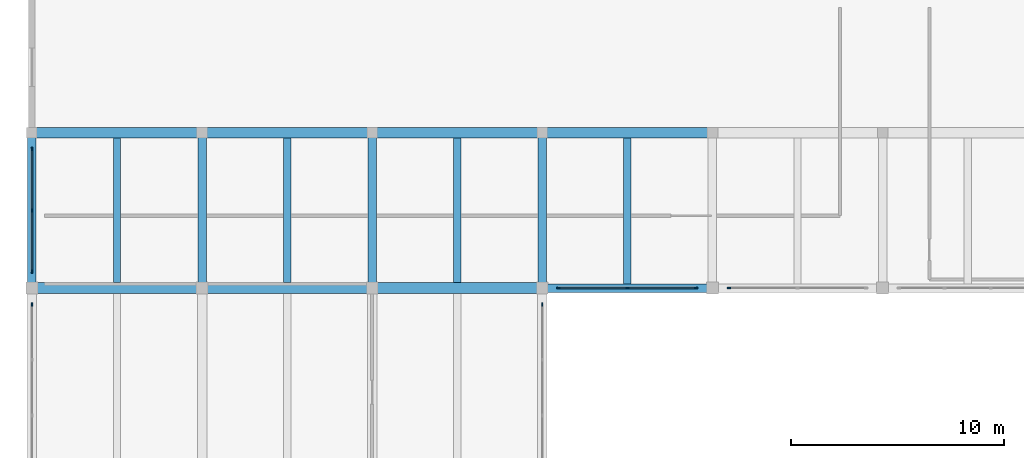
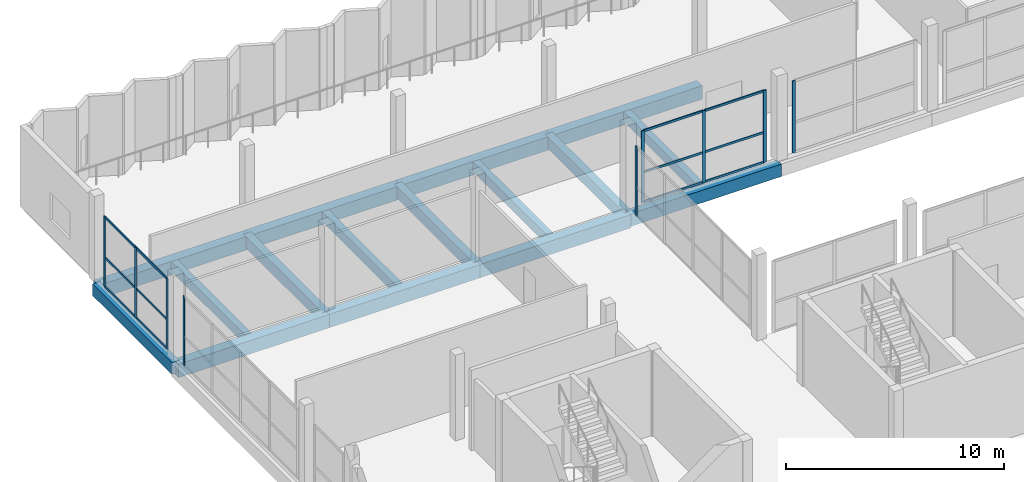
# One storey, part 17 of 47: 21 members, 16 beams, 5 elements without a shape of their own.
"""IFC4 building model written with IfcOpenShell, lengths in metres."""

from ifc_helpers import new_model, si_unit, direction, frame, origin, origin_2d, place, context, subcontext, project, spatial, rectangle, extrude, material, material_profile, profile_set, type_object, element, aggregate, save


model = new_model("IFC4")

# Units and contexts
model_context = context("Model", 3, precision=1e-05, world=origin(), true_north=direction((0.0, 1.0)))
body_context = subcontext(model_context, "Body", "Model", "MODEL_VIEW")
ifc_project = project(units=[si_unit("LENGTHUNIT", "METRE"), si_unit("AREAUNIT", "SQUARE_METRE"), si_unit("VOLUMEUNIT", "CUBIC_METRE"), si_unit("PLANEANGLEUNIT", "RADIAN"), si_unit("MASSUNIT", "GRAM", prefix="KILO")], contexts=[model_context])

# Site, building, storey
site_placement = place(None, origin())
site = spatial("IfcSite", under=ifc_project, at=site_placement, CompositionType="ELEMENT")
building_placement = place(site_placement, origin())
building = spatial("IfcBuilding", under=site, at=building_placement, Name="Vharandega Faculty of Natural Sciences", CompositionType="ELEMENT")
storey_placement = place(building_placement, frame((0.0, 0.0, 5.39990234375)))
storey = spatial("IfcBuildingStorey", under=building, at=storey_placement, Name="L01", CompositionType="ELEMENT", Elevation=5.39990234375)

# Curtain wall, member
ifc_material_1 = material(Name="Aluminium and solar-control glass curtain wall", Category="aluminium")
curtain_wall_type_1 = type_object("IfcCurtainWallType", Name="Unitised Curtain Wall System CW-16", PredefinedType="NOTDEFINED", material=ifc_material_1)
curtain_wall_1_placement = place(storey_placement, origin())
curtain_wall_1 = element("IfcCurtainWall", 1, at=curtain_wall_1_placement, inside=storey, type_object=curtain_wall_type_1, Name="Curtain Wall CW-L01-043", PredefinedType="NOTDEFINED")
ifc_material_2 = material(Name="Thermally broken aluminium 6063-T6", Category="aluminium")
ifc_material_profile_1 = material_profile(ifc_material_2, rectangle(XDim=0.06005859375, YDim=0.159912109375, at=origin_2d()), Name="ALU 60x160")
ifc_profile_set_1 = profile_set([ifc_material_profile_1], Name="Thermally broken aluminium 6063-T6")
member_type_1 = type_object("IfcMemberType", Name="CW Mullion 60x160", PredefinedType="MULLION", material=ifc_profile_set_1)
member_1_placement = place(storey_placement, frame((0.0, 96.22998046875, 0.0), z_axis=(0.0, 0.0, 1.0), x_axis=(-1.0, 0.0, 0.0)))
member_1 = element("IfcMember", 2, at=member_1_placement, type_object=member_type_1, Name="CW-16 mullion 5", PredefinedType="MULLION", context=body_context, shape_type="SweptSolid", body=[
    extrude(rectangle(XDim=0.06005859375, YDim=0.159912109375, at=origin_2d()), origin(), (0.0, 0.0, 1.0), 3.89013671875),
])
aggregate(curtain_wall_1, [member_1])

# Curtain wall, members
ifc_material_3 = material(Name="Aluminium and solar-control glass curtain wall", Category="aluminium")
curtain_wall_type_2 = type_object("IfcCurtainWallType", Name="Unitised Curtain Wall System CW-17", PredefinedType="NOTDEFINED", material=ifc_material_3)
curtain_wall_2_placement = place(storey_placement, origin())
curtain_wall_2 = element("IfcCurtainWall", 3, at=curtain_wall_2_placement, inside=storey, type_object=curtain_wall_type_2, Name="Curtain Wall CW-L01-044", PredefinedType="NOTDEFINED")
member_2_placement = place(storey_placement, frame((0.0, 97.77001953125, 0.0), z_axis=(0.0, 0.0, 1.0), x_axis=(-1.0, 0.0, 0.0)))
member_2 = element("IfcMember", 4, at=member_2_placement, type_object=member_type_1, Name="CW-17 mullion 1", PredefinedType="MULLION", context=body_context, shape_type="SweptSolid", body=[
    extrude(rectangle(XDim=0.06005859375, YDim=0.159912109375, at=origin_2d()), origin(), (0.0, 0.0, 1.0), 3.940185546875),
])
member_3_placement = place(storey_placement, frame((0.0, 100.64990234375, 0.0), z_axis=(0.0, 0.0, 1.0), x_axis=(-1.0, 0.0, 0.0)))
member_3 = element("IfcMember", 5, at=member_3_placement, type_object=member_type_1, Name="CW-17 mullion 2", PredefinedType="MULLION", context=body_context, shape_type="SweptSolid", body=[
    extrude(rectangle(XDim=0.06005859375, YDim=0.159912109375, at=origin_2d()), origin(), (0.0, 0.0, 1.0), 3.940185546875),
])
member_4_placement = place(storey_placement, frame((0.0, 103.530029296875, 0.0), z_axis=(0.0, 0.0, 1.0), x_axis=(-1.0, 0.0, 0.0)))
member_4 = element("IfcMember", 6, at=member_4_placement, type_object=member_type_1, Name="CW-17 mullion 3", PredefinedType="MULLION", context=body_context, shape_type="SweptSolid", body=[
    extrude(rectangle(XDim=0.06005859375, YDim=0.159912109375, at=origin_2d()), origin(), (0.0, 0.0, 1.0), 3.940185546875),
])

ifc_material_4 = material(Name="Aluminium and solar-control glass curtain wall", Category="aluminium")
curtain_wall_type_3 = type_object("IfcCurtainWallType", Name="Unitised Curtain Wall System CW-18", PredefinedType="NOTDEFINED", material=ifc_material_4)
curtain_wall_3_placement = place(storey_placement, origin())
curtain_wall_3 = element("IfcCurtainWall", 7, at=curtain_wall_3_placement, inside=storey, type_object=curtain_wall_type_3, Name="Curtain Wall CW-L01-045", PredefinedType="NOTDEFINED")
member_5_placement = place(storey_placement, frame((24.77001953125, 97.0, 0.0), z_axis=(0.0, 0.0, 1.0), x_axis=(0.0, 1.0, 0.0)))
member_5 = element("IfcMember", 8, at=member_5_placement, type_object=member_type_1, Name="CW-18 mullion 1", PredefinedType="MULLION", context=body_context, shape_type="SweptSolid", body=[
    extrude(rectangle(XDim=0.06005859375, YDim=0.159912109375, at=origin_2d()), origin(), (0.0, 0.0, 1.0), 4.0400390625),
])
member_6_placement = place(storey_placement, frame((28.0, 97.0, 0.0), z_axis=(0.0, 0.0, 1.0), x_axis=(0.0, 1.0, 0.0)))
member_6 = element("IfcMember", 9, at=member_6_placement, type_object=member_type_1, Name="CW-18 mullion 2", PredefinedType="MULLION", context=body_context, shape_type="SweptSolid", body=[
    extrude(rectangle(XDim=0.06005859375, YDim=0.159912109375, at=origin_2d()), origin(), (0.0, 0.0, 1.0), 4.0400390625),
])
member_7_placement = place(storey_placement, frame((31.22998046875, 97.0, 0.0), z_axis=(0.0, 0.0, 1.0), x_axis=(0.0, 1.0, 0.0)))
member_7 = element("IfcMember", 10, at=member_7_placement, type_object=member_type_1, Name="CW-18 mullion 3", PredefinedType="MULLION", context=body_context, shape_type="SweptSolid", body=[
    extrude(rectangle(XDim=0.06005859375, YDim=0.159912109375, at=origin_2d()), origin(), (0.0, 0.0, 1.0), 4.0400390625),
])

# Curtain wall, member
ifc_material_5 = material(Name="Aluminium and solar-control glass curtain wall", Category="aluminium")
curtain_wall_type_4 = type_object("IfcCurtainWallType", Name="Unitised Curtain Wall System CW-19", PredefinedType="NOTDEFINED", material=ifc_material_5)
curtain_wall_4_placement = place(storey_placement, origin())
curtain_wall_4 = element("IfcCurtainWall", 11, at=curtain_wall_4_placement, inside=storey, type_object=curtain_wall_type_4, Name="Curtain Wall CW-L01-046", PredefinedType="NOTDEFINED")
member_8_placement = place(storey_placement, frame((32.77001953125, 97.0, 0.0), z_axis=(0.0, 0.0, 1.0), x_axis=(0.0, 1.0, 0.0)))
member_8 = element("IfcMember", 12, at=member_8_placement, type_object=member_type_1, Name="CW-19 mullion 1", PredefinedType="MULLION", context=body_context, shape_type="SweptSolid", body=[
    extrude(rectangle(XDim=0.06005859375, YDim=0.159912109375, at=origin_2d()), origin(), (0.0, 0.0, 1.0), 4.0400390625),
])
aggregate(curtain_wall_4, [member_8])

ifc_material_6 = material(Name="Aluminium and solar-control glass curtain wall", Category="aluminium")
curtain_wall_type_5 = type_object("IfcCurtainWallType", Name="Unitised Curtain Wall System CW-24", PredefinedType="NOTDEFINED", material=ifc_material_6)
curtain_wall_5_placement = place(storey_placement, origin())
curtain_wall_5 = element("IfcCurtainWall", 13, at=curtain_wall_5_placement, inside=storey, type_object=curtain_wall_type_5, Name="Curtain Wall CW-L01-051", PredefinedType="NOTDEFINED")
member_9_placement = place(storey_placement, frame((24.0, 96.22998046875, 0.0), z_axis=(0.0, 0.0, 1.0), x_axis=(-1.0, 0.0, 0.0)))
member_9 = element("IfcMember", 14, at=member_9_placement, type_object=member_type_1, Name="CW-24 mullion 5", PredefinedType="MULLION", context=body_context, shape_type="SweptSolid", body=[
    extrude(rectangle(XDim=0.06005859375, YDim=0.159912109375, at=origin_2d()), origin(), (0.0, 0.0, 1.0), 3.89013671875),
])
aggregate(curtain_wall_5, [member_9])

# Member
ifc_material_7 = material(Name="Thermally broken aluminium 6063-T6", Category="aluminium")
ifc_material_profile_2 = material_profile(ifc_material_7, rectangle(XDim=0.06005859375, YDim=0.1201171875, at=origin_2d()), Name="ALU 60x120")
ifc_profile_set_2 = profile_set([ifc_material_profile_2], Name="Thermally broken aluminium 6063-T6")
member_type_2 = type_object("IfcMemberType", Name="CW Transom 60x120", PredefinedType="USERDEFINED", material=ifc_profile_set_2)
member_10_placement = place(storey_placement, frame((0.0, 97.800048828125, 0.030029296875), z_axis=(0.0, 1.0, 0.0), x_axis=(-1.0, 0.0, 0.0)))
member_10 = element("IfcMember", 15, at=member_10_placement, type_object=member_type_2, Name="CW-17 transom 1.1", ObjectType="TRANSOM", PredefinedType="USERDEFINED", context=body_context, shape_type="SweptSolid", body=[
    extrude(rectangle(XDim=0.06005859375, YDim=0.1201171875, at=origin_2d()), origin(), (0.0, 0.0, 1.0), 2.820068359375),
])

member_11_placement = place(storey_placement, frame((0.0, 97.800048828125, 1.65478515625), z_axis=(0.0, 1.0, 0.0), x_axis=(-1.0, 0.0, 0.0)))
member_11 = element("IfcMember", 16, at=member_11_placement, type_object=member_type_2, Name="CW-17 transom 1.2", ObjectType="TRANSOM", PredefinedType="USERDEFINED", context=body_context, shape_type="SweptSolid", body=[
    extrude(rectangle(XDim=0.06005859375, YDim=0.1201171875, at=origin_2d()), origin(), (0.0, 0.0, 1.0), 2.820068359375),
])

member_12_placement = place(storey_placement, frame((0.0, 97.800048828125, 3.91015625), z_axis=(0.0, 1.0, 0.0), x_axis=(-1.0, 0.0, 0.0)))
member_12 = element("IfcMember", 17, at=member_12_placement, type_object=member_type_2, Name="CW-17 transom 1.3", ObjectType="TRANSOM", PredefinedType="USERDEFINED", context=body_context, shape_type="SweptSolid", body=[
    extrude(rectangle(XDim=0.06005859375, YDim=0.1201171875, at=origin_2d()), origin(), (0.0, 0.0, 1.0), 2.820068359375),
])

member_13_placement = place(storey_placement, frame((0.0, 100.679931640625, 0.030029296875), z_axis=(0.0, 1.0, 0.0), x_axis=(-1.0, 0.0, 0.0)))
member_13 = element("IfcMember", 18, at=member_13_placement, type_object=member_type_2, Name="CW-17 transom 2.1", ObjectType="TRANSOM", PredefinedType="USERDEFINED", context=body_context, shape_type="SweptSolid", body=[
    extrude(rectangle(XDim=0.06005859375, YDim=0.1201171875, at=origin_2d()), origin(), (0.0, 0.0, 1.0), 2.820068359375),
])

member_14_placement = place(storey_placement, frame((0.0, 100.679931640625, 1.65478515625), z_axis=(0.0, 1.0, 0.0), x_axis=(-1.0, 0.0, 0.0)))
member_14 = element("IfcMember", 19, at=member_14_placement, type_object=member_type_2, Name="CW-17 transom 2.2", ObjectType="TRANSOM", PredefinedType="USERDEFINED", context=body_context, shape_type="SweptSolid", body=[
    extrude(rectangle(XDim=0.06005859375, YDim=0.1201171875, at=origin_2d()), origin(), (0.0, 0.0, 1.0), 2.820068359375),
])

member_15_placement = place(storey_placement, frame((0.0, 100.679931640625, 3.91015625), z_axis=(0.0, 1.0, 0.0), x_axis=(-1.0, 0.0, 0.0)))
member_15 = element("IfcMember", 20, at=member_15_placement, type_object=member_type_2, Name="CW-17 transom 2.3", ObjectType="TRANSOM", PredefinedType="USERDEFINED", context=body_context, shape_type="SweptSolid", body=[
    extrude(rectangle(XDim=0.06005859375, YDim=0.1201171875, at=origin_2d()), origin(), (0.0, 0.0, 1.0), 2.820068359375),
])

aggregate(curtain_wall_2, [member_2, member_3, member_4, member_10, member_11, member_12, member_13, member_14, member_15])

member_16_placement = place(storey_placement, frame((24.800048828125, 97.0, 0.030029296875), z_axis=(1.0, 0.0, 0.0), x_axis=(0.0, 1.0, 0.0)))
member_16 = element("IfcMember", 21, at=member_16_placement, type_object=member_type_2, Name="CW-18 transom 1.1", ObjectType="TRANSOM", PredefinedType="USERDEFINED", context=body_context, shape_type="SweptSolid", body=[
    extrude(rectangle(XDim=0.06005859375, YDim=0.1201171875, at=origin_2d()), origin(), (0.0, 0.0, 1.0), 3.169921875),
])

member_17_placement = place(storey_placement, frame((24.800048828125, 97.0, 1.69677734375), z_axis=(1.0, 0.0, 0.0), x_axis=(0.0, 1.0, 0.0)))
member_17 = element("IfcMember", 22, at=member_17_placement, type_object=member_type_2, Name="CW-18 transom 1.2", ObjectType="TRANSOM", PredefinedType="USERDEFINED", context=body_context, shape_type="SweptSolid", body=[
    extrude(rectangle(XDim=0.06005859375, YDim=0.1201171875, at=origin_2d()), origin(), (0.0, 0.0, 1.0), 3.169921875),
])

member_18_placement = place(storey_placement, frame((24.800048828125, 97.0, 4.010009765625), z_axis=(1.0, 0.0, 0.0), x_axis=(0.0, 1.0, 0.0)))
member_18 = element("IfcMember", 23, at=member_18_placement, type_object=member_type_2, Name="CW-18 transom 1.3", ObjectType="TRANSOM", PredefinedType="USERDEFINED", context=body_context, shape_type="SweptSolid", body=[
    extrude(rectangle(XDim=0.06005859375, YDim=0.1201171875, at=origin_2d()), origin(), (0.0, 0.0, 1.0), 3.169921875),
])

member_19_placement = place(storey_placement, frame((28.030029296875, 97.0, 0.030029296875), z_axis=(1.0, 0.0, 0.0), x_axis=(0.0, 1.0, 0.0)))
member_19 = element("IfcMember", 24, at=member_19_placement, type_object=member_type_2, Name="CW-18 transom 2.1", ObjectType="TRANSOM", PredefinedType="USERDEFINED", context=body_context, shape_type="SweptSolid", body=[
    extrude(rectangle(XDim=0.06005859375, YDim=0.1201171875, at=origin_2d()), origin(), (0.0, 0.0, 1.0), 3.169921875),
])

member_20_placement = place(storey_placement, frame((28.030029296875, 97.0, 1.69677734375), z_axis=(1.0, 0.0, 0.0), x_axis=(0.0, 1.0, 0.0)))
member_20 = element("IfcMember", 25, at=member_20_placement, type_object=member_type_2, Name="CW-18 transom 2.2", ObjectType="TRANSOM", PredefinedType="USERDEFINED", context=body_context, shape_type="SweptSolid", body=[
    extrude(rectangle(XDim=0.06005859375, YDim=0.1201171875, at=origin_2d()), origin(), (0.0, 0.0, 1.0), 3.169921875),
])

member_21_placement = place(storey_placement, frame((28.030029296875, 97.0, 4.010009765625), z_axis=(1.0, 0.0, 0.0), x_axis=(0.0, 1.0, 0.0)))
member_21 = element("IfcMember", 26, at=member_21_placement, type_object=member_type_2, Name="CW-18 transom 2.3", ObjectType="TRANSOM", PredefinedType="USERDEFINED", context=body_context, shape_type="SweptSolid", body=[
    extrude(rectangle(XDim=0.06005859375, YDim=0.1201171875, at=origin_2d()), origin(), (0.0, 0.0, 1.0), 3.169921875),
])

aggregate(curtain_wall_3, [member_5, member_6, member_7, member_16, member_17, member_18, member_19, member_20, member_21])

# Beams
ifc_material_8 = material(Name="Concrete C40/50", Category="concrete")
ifc_material_profile_3 = material_profile(ifc_material_8, rectangle(XDim=0.39990234375, YDim=0.64990234375, at=origin_2d()), Name="RC 400x650")
ifc_profile_set_3 = profile_set([ifc_material_profile_3], Name="Concrete C40/50")
beam_type_1 = type_object("IfcBeamType", Name="Podium Floor Beam 400x650", PredefinedType="BEAM", material=ifc_profile_set_3)
for number, where, z_axis, x_axis, name in (
    (27, (0.0, 97.0, -0.5849609375), (0.0, 1.0, 0.0), (-1.0, 0.0, 0.0), "Beam L01 1/N-P"),
    (28, (8.0, 97.0, -0.5849609375), (0.0, 1.0, 0.0), (-1.0, 0.0, 0.0), "Beam L01 2/N-P"),
    (29, (16.0, 97.0, -0.5849609375), (0.0, 1.0, 0.0), (-1.0, 0.0, 0.0), "Beam L01 3/N-P"),
    (30, (24.0, 97.0, -0.5849609375), (0.0, 1.0, 0.0), (-1.0, 0.0, 0.0), "Beam L01 4/N-P"),
):
    element("IfcBeam", number, at=place(storey_placement, frame(where, z_axis=z_axis, x_axis=x_axis)), inside=storey, type_object=beam_type_1, Name=name, PredefinedType="BEAM", context=body_context, shape_type="SweptSolid", body=[
        extrude(rectangle(XDim=0.39990234375, YDim=0.64990234375, at=origin_2d()), origin(), (0.0, 0.0, 1.0), 7.300048828125),
    ])
ifc_material_9 = material(Name="Concrete C40/50", Category="concrete")
ifc_material_profile_4 = material_profile(ifc_material_9, rectangle(XDim=0.5, YDim=0.75, at=origin_2d()), Name="RC 500x750")
ifc_profile_set_4 = profile_set([ifc_material_profile_4], Name="Concrete C40/50")
beam_type_2 = type_object("IfcBeamType", Name="Podium Primary Beam 500x750", PredefinedType="BEAM", material=ifc_profile_set_4)
for number, where, z_axis, x_axis, name in (
    (31, (0.0, 97.0, -0.635009765625), (1.0, 0.0, 0.0), (0.0, 1.0, 0.0), "Beam L01 N/1-2"),
    (32, (8.0, 97.0, -0.635009765625), (1.0, 0.0, 0.0), (0.0, 1.0, 0.0), "Beam L01 N/2-3"),
    (33, (16.0, 97.0, -0.635009765625), (1.0, 0.0, 0.0), (0.0, 1.0, 0.0), "Beam L01 N/3-4"),
    (34, (0.0, 104.300048828125, -0.635009765625), (1.0, 0.0, 0.0), (0.0, 1.0, 0.0), "Beam L01 P/1-2"),
    (35, (8.0, 104.300048828125, -0.635009765625), (1.0, 0.0, 0.0), (0.0, 1.0, 0.0), "Beam L01 P/2-3"),
    (36, (16.0, 104.300048828125, -0.635009765625), (1.0, 0.0, 0.0), (0.0, 1.0, 0.0), "Beam L01 P/3-4"),
    (37, (24.0, 104.300048828125, -0.635009765625), (1.0, 0.0, 0.0), (0.0, 1.0, 0.0), "Beam L01 P/4-5"),
):
    element("IfcBeam", number, at=place(storey_placement, frame(where, z_axis=z_axis, x_axis=x_axis)), inside=storey, type_object=beam_type_2, Name=name, PredefinedType="BEAM", context=body_context, shape_type="SweptSolid", body=[
        extrude(rectangle(XDim=0.5, YDim=0.75, at=origin_2d()), origin(), (0.0, 0.0, 1.0), 8.0),
    ])
ifc_material_10 = material(Name="Concrete C40/50", Category="concrete")
ifc_material_profile_5 = material_profile(ifc_material_10, rectangle(XDim=0.35009765625, YDim=0.550048828125, at=origin_2d()), Name="RC 350x550")
ifc_profile_set_5 = profile_set([ifc_material_profile_5], Name="Concrete C40/50")
beam_type_3 = type_object("IfcBeamType", Name="Podium Secondary Beam 350x550", PredefinedType="JOIST", material=ifc_profile_set_5)
for number, where, z_axis, x_axis, name in (
    (38, (4.0, 97.25, -0.534912109375), (0.0, 1.0, 0.0), (-1.0, 0.0, 0.0), "Secondary Joist L01 1-2/N-P"),
    (39, (12.0, 97.25, -0.534912109375), (0.0, 1.0, 0.0), (-1.0, 0.0, 0.0), "Secondary Joist L01 2-3/N-P"),
    (40, (20.0, 97.25, -0.534912109375), (0.0, 1.0, 0.0), (-1.0, 0.0, 0.0), "Secondary Joist L01 3-4/N-P"),
):
    element("IfcBeam", number, at=place(storey_placement, frame(where, z_axis=z_axis, x_axis=x_axis)), inside=storey, type_object=beam_type_3, Name=name, PredefinedType="JOIST", context=body_context, shape_type="SweptSolid", body=[
        extrude(rectangle(XDim=0.35009765625, YDim=0.550048828125, at=origin_2d()), origin(), (0.0, 0.0, 1.0), 6.800048828125),
    ])
beam_1_placement = place(storey_placement, frame((28.0, 97.199951171875, -0.534912109375), z_axis=(0.0, 1.0, 0.0), x_axis=(-1.0, 0.0, 0.0)))
element("IfcBeam", 41, at=beam_1_placement, inside=storey, type_object=beam_type_3, Name="Secondary Joist L01 4-5/N-P", PredefinedType="JOIST", context=body_context, shape_type="SweptSolid", body=[
    extrude(rectangle(XDim=0.35009765625, YDim=0.550048828125, at=origin_2d()), origin(), (0.0, 0.0, 1.0), 6.85009765625),
])
ifc_material_11 = material(Name="Concrete C40/50", Category="concrete")
ifc_material_profile_6 = material_profile(ifc_material_11, rectangle(XDim=0.39990234375, YDim=0.699951171875, at=origin_2d()), Name="RC 400x700")
ifc_profile_set_6 = profile_set([ifc_material_profile_6], Name="Concrete C40/50")
beam_type_4 = type_object("IfcBeamType", Name="Podium Spandrel Beam 400x700", PredefinedType="SPANDREL", material=ifc_profile_set_6)
beam_2_placement = place(storey_placement, frame((24.0, 97.0, -0.60986328125), z_axis=(1.0, 0.0, 0.0), x_axis=(0.0, 1.0, 0.0)))
element("IfcBeam", 42, at=beam_2_placement, inside=storey, type_object=beam_type_4, Name="Beam L01 N/4-5", PredefinedType="SPANDREL", context=body_context, shape_type="SweptSolid", body=[
    extrude(rectangle(XDim=0.39990234375, YDim=0.699951171875, at=origin_2d()), origin(), (0.0, 0.0, 1.0), 8.0),
])

save(model, "model.ifc")
